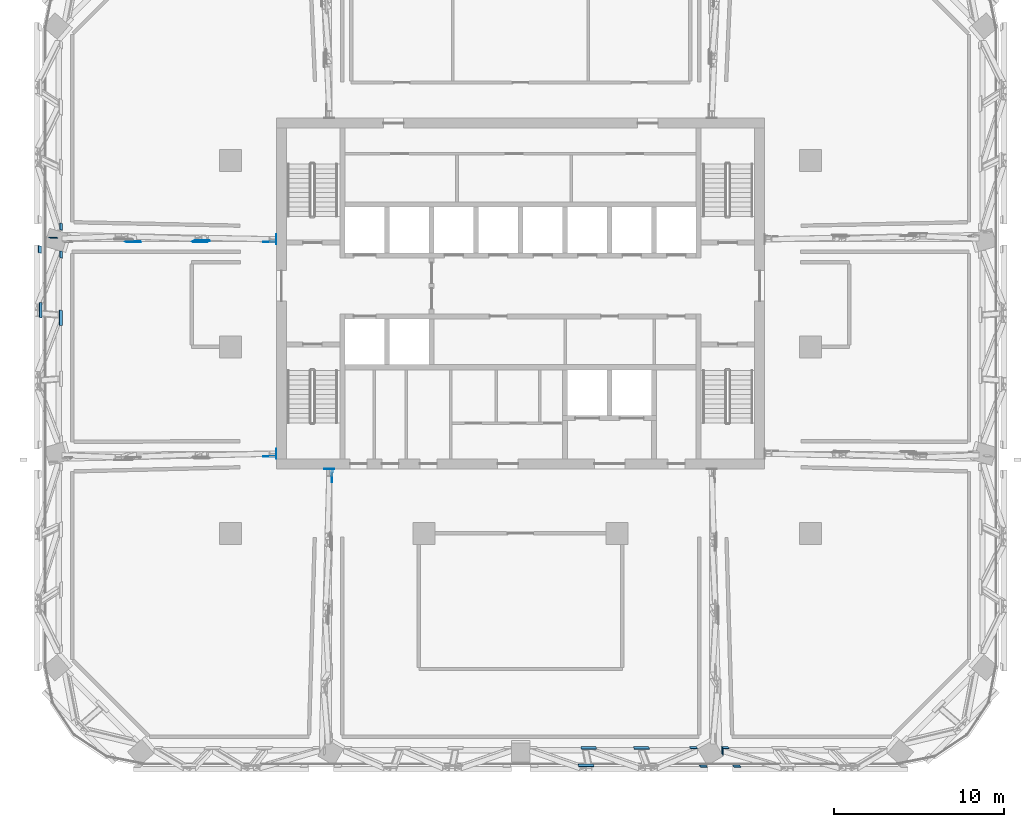
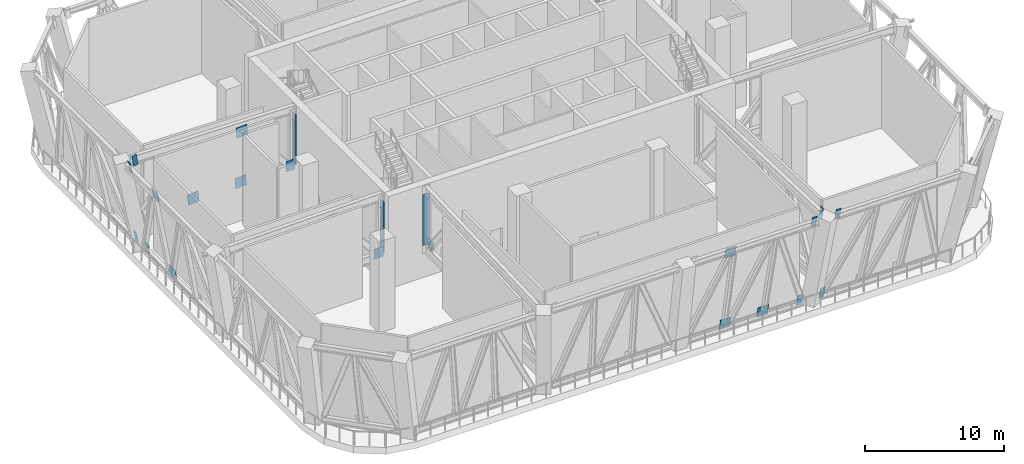
# One storey, part 10 of 24: 23 discrete accessories.
"""IFC4 building model written with IfcOpenShell, lengths in metres."""

from ifc_helpers import new_model, si_unit, direction, frame, origin, origin_2d, place, context, subcontext, project, spatial, rectangle, extrude, material, layer, layer_set, type_object, element, save


model = new_model("IFC4")

# Units and contexts
model_context = context("Model", 3, precision=1e-05, world=origin(), true_north=direction((0.0, 1.0)))
body_context = subcontext(model_context, "Body", "Model", "MODEL_VIEW")
ifc_project = project(units=[si_unit("LENGTHUNIT", "METRE"), si_unit("AREAUNIT", "SQUARE_METRE"), si_unit("VOLUMEUNIT", "CUBIC_METRE"), si_unit("PLANEANGLEUNIT", "RADIAN"), si_unit("MASSUNIT", "GRAM", prefix="KILO")], contexts=[model_context])

# Site, building, storey
site_placement = place(None, origin())
site = spatial("IfcSite", under=ifc_project, at=site_placement, CompositionType="ELEMENT")
building_placement = place(site_placement, origin())
building = spatial("IfcBuilding", under=site, at=building_placement, Name="Mopane Tessera Tower", CompositionType="ELEMENT")
storey_placement = place(building_placement, frame((0.0, 0.0, 259.0)))
storey = spatial("IfcBuildingStorey", under=building, at=storey_placement, Name="L56", CompositionType="ELEMENT", Elevation=259.0)

# Discrete accessories
ifc_material_1 = material(Name="Structural steel S460", Category="steel")
ifc_layer_1 = layer(ifc_material_1, 0.014892578125)
ifc_layer_set_1 = layer_set([ifc_layer_1], Name="Structural steel S460")
discrete_accessory_type_1 = type_object("IfcDiscreteAccessoryType", Name="Cast-in anchor plate 15 mm", PredefinedType="ANCHORPLATE", material=ifc_layer_set_1)
for number, where, z_axis, x_axis, name in (
    (1, (-14.407470703125, 6.354248046875, 2.81591796875), (0.0, 0.0, 1.0), (-1.0, 0.0, 0.0), "Cast-in anchor plate s ot L56 W1 p"),
    (2, (-14.407470703125, -6.30029296875, 2.81591796875), (0.0, 0.0, 1.0), (-1.0, 0.0, 0.0), "Cast-in anchor plate s ot L56 W2 p"),
    (3, (-11.281494140625, -7.20751953125, 2.81591796875), (0.0, 0.0, 1.0), (0.0, -1.0, 0.0), "Cast-in anchor plate s ot L56 S1 p"),
):
    element("IfcDiscreteAccessory", number, at=place(storey_placement, frame(where, z_axis=z_axis, x_axis=x_axis)), inside=storey, type_object=discrete_accessory_type_1, Name=name, PredefinedType="ANCHORPLATE", context=body_context, shape_type="SweptSolid", body=[
        extrude(rectangle(XDim=0.014892578125, YDim=0.60400390625, at=origin_2d()), origin(), (0.0, 0.0, 1.0), 4.468017578125),
    ])
ifc_material_2 = material(Name="Structural steel S460", Category="steel")
ifc_layer_2 = layer(ifc_material_2, 0.030029296875)
ifc_layer_set_2 = layer_set([ifc_layer_2], Name="Structural steel S460")
discrete_accessory_type_2 = type_object("IfcDiscreteAccessoryType", Name="Truss node plate 30 mm", PredefinedType="BRACKET", material=ifc_layer_set_2)
discrete_accessory_1_placement = place(storey_placement, frame((-14.800048828125, 6.187744140625, 2.427978515625), z_axis=(-0.005153167956, 0.001356096831, 0.99998580283), x_axis=(0.021201819938, -0.999774142698, 0.001465067885)))
element("IfcDiscreteAccessory", 4, at=discrete_accessory_1_placement, inside=storey, type_object=discrete_accessory_type_2, Name="Truss node plate s ot L56 W1 0", PredefinedType="BRACKET", context=body_context, shape_type="SweptSolid", body=[
    extrude(rectangle(XDim=0.030029296875, YDim=0.760498046875, at=origin_2d()), origin(), (0.0, 0.0, 1.0), 0.900146484375),
])
discrete_accessory_2_placement = place(storey_placement, frame((-18.768798828125, 6.259765625, 6.77197265625), z_axis=(-0.053903128834, 0.015439589666, 0.998426798405), x_axis=(-0.001259692191, -0.999880710862, 0.015394064507)))
element("IfcDiscreteAccessory", 5, at=discrete_accessory_2_placement, inside=storey, type_object=discrete_accessory_type_2, Name="Truss node plate s ot L56 W1 2", PredefinedType="BRACKET", context=body_context, shape_type="SweptSolid", body=[
    extrude(rectangle(XDim=0.030029296875, YDim=0.89990234375, at=origin_2d()), origin(), (0.0, 0.0, 1.0), 0.9013671875),
])
discrete_accessory_3_placement = place(storey_placement, frame((-18.904541015625, 6.192626953125, 2.427978515625), z_axis=(-0.058745219946, 0.017055063855, 0.998127308478), x_axis=(-0.005007484548, -0.999846503384, 0.01678972215)))
element("IfcDiscreteAccessory", 6, at=discrete_accessory_3_placement, inside=storey, type_object=discrete_accessory_type_2, Name="Truss node plate s ot L56 W1 3", PredefinedType="BRACKET", context=body_context, shape_type="SweptSolid", body=[
    extrude(rectangle(XDim=0.030029296875, YDim=0.89990234375, at=origin_2d()), origin(), (0.0, 0.0, 1.0), 0.90185546875),
])
discrete_accessory_4_placement = place(storey_placement, frame((-22.817138671875, 6.195556640625, 2.365966796875), z_axis=(-0.109400608513, 0.031526776345, 0.9934976443), x_axis=(-0.005463469597, -0.999500858586, 0.031115658204)))
element("IfcDiscreteAccessory", 7, at=discrete_accessory_4_placement, inside=storey, type_object=discrete_accessory_type_2, Name="Truss node plate s ot L56 W1 5", PredefinedType="BRACKET", context=body_context, shape_type="SweptSolid", body=[
    extrude(rectangle(XDim=0.030029296875, YDim=0.89990234375, at=origin_2d()), origin(), (0.0, 0.0, 1.0), 0.906005859375),
])
discrete_accessory_5_placement = place(storey_placement, frame((-27.492431640625, 6.4228515625, 7.19189453125), z_axis=(-0.158891103966, 0.045473884973, 0.986248317041), x_axis=(-0.007432556652, -0.998965507394, 0.044862814648)))
element("IfcDiscreteAccessory", 8, at=discrete_accessory_5_placement, inside=storey, type_object=discrete_accessory_type_2, Name="Truss node plate s ot L56 W1 8", PredefinedType="BRACKET", context=body_context, shape_type="SweptSolid", body=[
    extrude(rectangle(XDim=0.030029296875, YDim=0.395751953125, at=origin_2d()), origin(), (0.0, 0.0, 1.0), 0.91259765625),
])
discrete_accessory_6_placement = place(storey_placement, frame((-14.799560546875, -6.46923828125, 2.427978515625), z_axis=(-0.005153167956, -0.001356096831, 0.99998580283), x_axis=(-0.017105171755, -0.999852653035, -0.001444063338)))
element("IfcDiscreteAccessory", 9, at=discrete_accessory_6_placement, inside=storey, type_object=discrete_accessory_type_2, Name="Truss node plate s ot L56 W2 0", PredefinedType="BRACKET", context=body_context, shape_type="SweptSolid", body=[
    extrude(rectangle(XDim=0.030029296875, YDim=0.760498046875, at=origin_2d()), origin(), (0.0, 0.0, 1.0), 0.900146484375),
])
discrete_accessory_7_placement = place(storey_placement, frame((-11.114990234375, -7.602294921875, 2.42578125), z_axis=(-0.00217035578, -0.003526828142, 0.999991425483), x_axis=(0.999606084513, -0.02798906158, 0.002070805989)))
element("IfcDiscreteAccessory", 10, at=discrete_accessory_7_placement, inside=storey, type_object=discrete_accessory_type_2, Name="Truss node plate s ot L56 S1 0", PredefinedType="BRACKET", context=body_context, shape_type="SweptSolid", body=[
    extrude(rectangle(XDim=0.030029296875, YDim=0.764404296875, at=origin_2d()), origin(), (0.0, 0.0, 1.0), 0.89990234375),
])
discrete_accessory_8_placement = place(storey_placement, frame((11.861572265625, -23.771240234375, 7.19189453125), z_axis=(0.080055266263, -0.138155576562, 0.987169788339), x_axis=(0.99678930426, 0.01258176103, -0.079074535742)))
element("IfcDiscreteAccessory", 11, at=discrete_accessory_8_placement, inside=storey, type_object=discrete_accessory_type_2, Name="Truss node plate s ot L56 S3 10", PredefinedType="BRACKET", context=body_context, shape_type="SweptSolid", body=[
    extrude(rectangle(XDim=0.030029296875, YDim=0.39794921875, at=origin_2d()), origin(), (0.0, 0.0, 1.0), 0.911865234375),
])
for number, where, z_axis, x_axis, name in (
    (12, (3.8486328125, -24.624755859375, 7.007568359375), (0.028164184321, -0.147258449448, 0.988696984818), (0.003617660059, 0.989097884349, 0.147215106946), "Truss node plate s bt L56 S2-S3 2"),
    (13, (4.00390625, -23.595458984375, 0.090087890625), (0.030845263703, -0.146984387036, 0.988657756595), (0.003782103748, 0.989138494303, 0.146937860268), "Truss node plate s bt L56 S2-S3 3"),
):
    element("IfcDiscreteAccessory", number, at=place(storey_placement, frame(where, z_axis=z_axis, x_axis=x_axis)), inside=storey, type_object=discrete_accessory_type_2, Name=name, PredefinedType="BRACKET", context=body_context, shape_type="SweptSolid", body=[
        extrude(rectangle(XDim=0.030029296875, YDim=0.89990234375, at=origin_2d()), origin(), (0.0, 0.0, 1.0), 0.91015625),
    ])
discrete_accessory_9_placement = place(storey_placement, frame((7.105224609375, -23.593017578125, 0.073974609375), z_axis=(0.054644409286, -0.147057748519, 0.987617338413), x_axis=(0.007578757668, 0.989127760517, 0.146863323558)))
element("IfcDiscreteAccessory", 14, at=discrete_accessory_9_placement, inside=storey, type_object=discrete_accessory_type_2, Name="Truss node plate s bt L56 S2-S3 5", PredefinedType="BRACKET", context=body_context, shape_type="SweptSolid", body=[
    extrude(rectangle(XDim=0.030029296875, YDim=0.89990234375, at=origin_2d()), origin(), (0.0, 0.0, 1.0), 0.911376953125),
])
discrete_accessory_10_placement = place(storey_placement, frame((10.164794921875, -23.576171875, -0.03857421875), z_axis=(0.077828491184, -0.146831070997, 0.986095006858), x_axis=(0.012428709749, 0.989161200879, 0.146306684227)))
element("IfcDiscreteAccessory", 15, at=discrete_accessory_10_placement, inside=storey, type_object=discrete_accessory_type_2, Name="Truss node plate s bt L56 S2-S3 7", PredefinedType="BRACKET", context=body_context, shape_type="SweptSolid", body=[
    extrude(rectangle(XDim=0.030029296875, YDim=0.41064453125, at=origin_2d()), origin(), (0.0, 0.0, 1.0), 0.912841796875),
])
discrete_accessory_11_placement = place(storey_placement, frame((10.743896484375, -24.66650390625, 7.2880859375), z_axis=(0.077849022459, -0.146869805258, 0.986087617814), x_axis=(0.012433026507, 0.989155452002, 0.146345179717)))
element("IfcDiscreteAccessory", 16, at=discrete_accessory_11_placement, inside=storey, type_object=discrete_accessory_type_2, Name="Truss node plate s bt L56 S2-S3 8", PredefinedType="BRACKET", context=body_context, shape_type="SweptSolid", body=[
    extrude(rectangle(XDim=0.030029296875, YDim=0.41064453125, at=origin_2d()), origin(), (0.0, 0.0, 1.0), 0.91259765625),
])
discrete_accessory_12_placement = place(storey_placement, frame((12.029052734375, -23.576171875, -0.0390625), z_axis=(0.092182013426, -0.146689638756, 0.984877975326), x_axis=(0.013810784404, 0.989182556621, 0.146038118005)))
element("IfcDiscreteAccessory", 17, at=discrete_accessory_12_placement, inside=storey, type_object=discrete_accessory_type_2, Name="Truss node plate s bt L56 S3-S4 0", PredefinedType="BRACKET", context=body_context, shape_type="SweptSolid", body=[
    extrude(rectangle(XDim=0.030029296875, YDim=0.411376953125, at=origin_2d()), origin(), (0.0, 0.0, 1.0), 0.913818359375),
])
discrete_accessory_13_placement = place(storey_placement, frame((12.714111328125, -24.66650390625, 7.2880859375), z_axis=(0.092182013426, -0.146689638756, 0.984877975326), x_axis=(0.013796013691, 0.989182558587, 0.146039500798)))
element("IfcDiscreteAccessory", 18, at=discrete_accessory_13_placement, inside=storey, type_object=discrete_accessory_type_2, Name="Truss node plate s bt L56 S3-S4 1", PredefinedType="BRACKET", context=body_context, shape_type="SweptSolid", body=[
    extrude(rectangle(XDim=0.030029296875, YDim=0.41064453125, at=origin_2d()), origin(), (0.0, 0.0, 1.0), 0.913818359375),
])
discrete_accessory_14_placement = place(storey_placement, frame((-27.0263671875, 7.0693359375, -0.032958984375), z_axis=(-0.169772479873, 0.055256137317, 0.983932957252), x_axis=(0.985483249125, 0.009249633359, 0.169520529663)))
element("IfcDiscreteAccessory", 19, at=discrete_accessory_14_placement, inside=storey, type_object=discrete_accessory_type_2, Name="Truss node plate s bt L56 W0-W1 7", PredefinedType="BRACKET", context=body_context, shape_type="SweptSolid", body=[
    extrude(rectangle(XDim=0.030029296875, YDim=0.404296875, at=origin_2d()), origin(), (0.0, 0.0, 1.0), 0.91455078125),
])
discrete_accessory_15_placement = place(storey_placement, frame((-27.0263671875, 5.427978515625, -0.032470703125), z_axis=(-0.169836098906, 0.042191986835, 0.984568705452), x_axis=(0.985471612564, 0.008471055725, 0.169628836123)))
element("IfcDiscreteAccessory", 20, at=discrete_accessory_15_placement, inside=storey, type_object=discrete_accessory_type_2, Name="Truss node plate s bt L56 W1-W2 0", PredefinedType="BRACKET", context=body_context, shape_type="SweptSolid", body=[
    extrude(rectangle(XDim=0.030029296875, YDim=0.403564453125, at=origin_2d()), origin(), (0.0, 0.0, 1.0), 0.914306640625),
])
discrete_accessory_16_placement = place(storey_placement, frame((-28.2900390625, 5.734130859375, 7.2880859375), z_axis=(-0.169880763287, 0.042203082703, 0.984560524333), x_axis=(0.985464300843, 0.008085043526, 0.169690140656)))
element("IfcDiscreteAccessory", 21, at=discrete_accessory_16_placement, inside=storey, type_object=discrete_accessory_type_2, Name="Truss node plate s bt L56 W1-W2 1", PredefinedType="BRACKET", context=body_context, shape_type="SweptSolid", body=[
    extrude(rectangle(XDim=0.030029296875, YDim=0.421142578125, at=origin_2d()), origin(), (0.0, 0.0, 1.0), 0.9140625),
])
for number, where, z_axis, x_axis, name in (
    (22, (-28.240478515625, 2.163818359375, 7.00146484375), (-0.170010382023, 0.016038715285, 0.985311742352), (0.985442268879, 0.002697386, 0.16998899616), "Truss node plate s bt L56 W1-W2 2"),
    (23, (-27.048583984375, 1.70703125, 0.096435546875), (-0.170017063929, 0.013366121378, 0.985350467992), (0.985441103863, 0.002133875316, 0.170003756997), "Truss node plate s bt L56 W1-W2 3"),
):
    element("IfcDiscreteAccessory", number, at=place(storey_placement, frame(where, z_axis=z_axis, x_axis=x_axis)), inside=storey, type_object=discrete_accessory_type_2, Name=name, PredefinedType="BRACKET", context=body_context, shape_type="SweptSolid", body=[
        extrude(rectangle(XDim=0.030029296875, YDim=0.89990234375, at=origin_2d()), origin(), (0.0, 0.0, 1.0), 0.913330078125),
    ])

save(model, "model.ifc")
